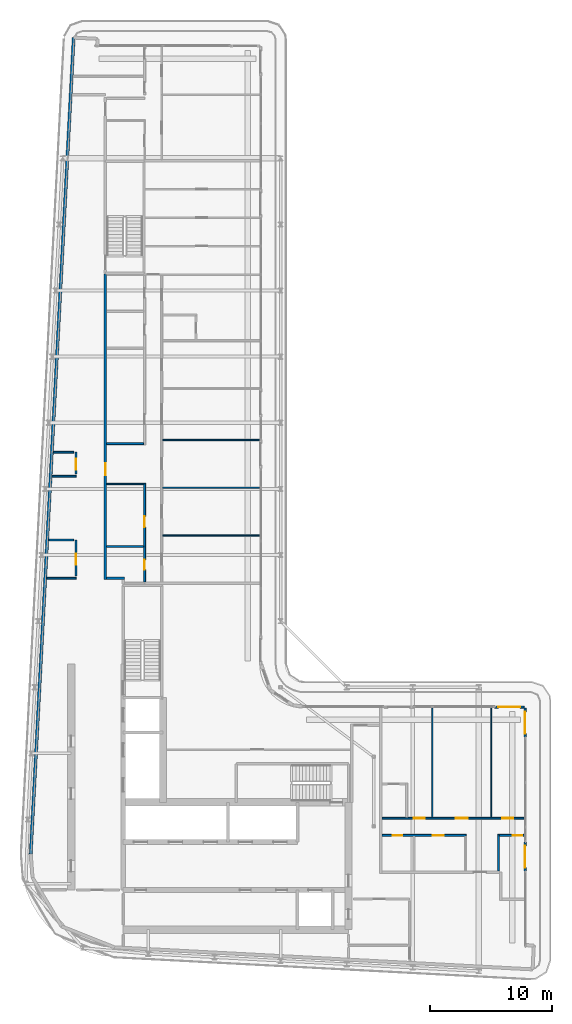
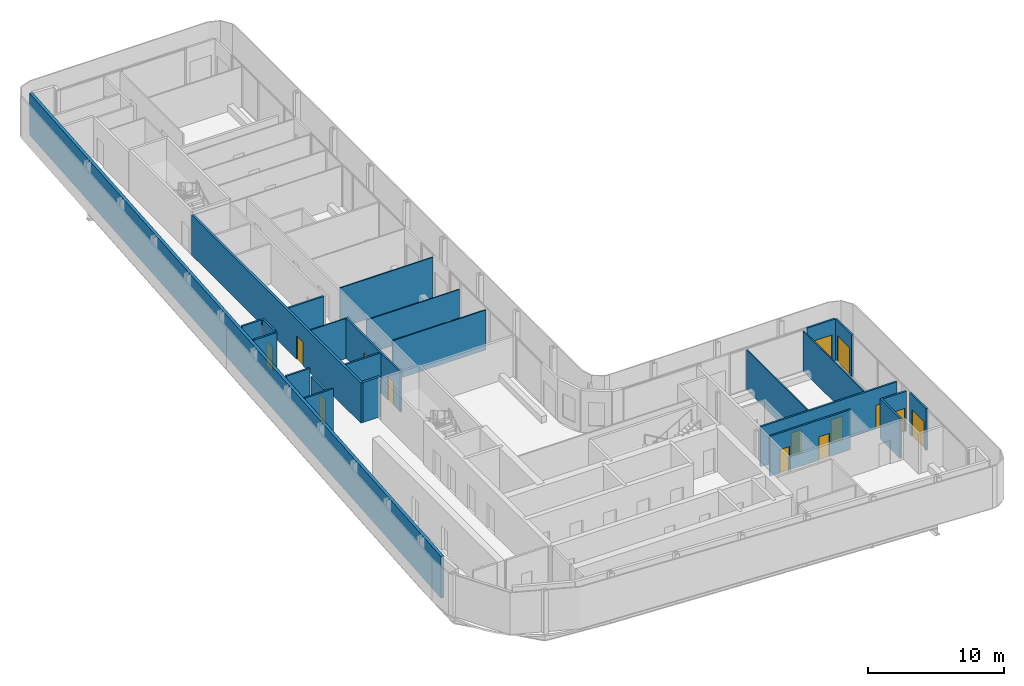
# One storey, part 13 of 21: 25 walls, 14 doors, 14 openings.
"""IFC4 building model written with IfcOpenShell, lengths in metres."""

from ifc_helpers import new_model, si_unit, direction, frame, frame_2d, origin, place, context, subcontext, project, spatial, rectangle, extrude, source, transform, mapped, material, layer, layer_set, type_object, element, fill, save


model = new_model("IFC4")

# Units and contexts
model_context = context("Model", 3, precision=1e-05, world=origin(), true_north=direction((0.0, 1.0)))
body_context = subcontext(model_context, "Body", "Model", "MODEL_VIEW")
ifc_project = project(units=[si_unit("LENGTHUNIT", "METRE"), si_unit("AREAUNIT", "SQUARE_METRE"), si_unit("VOLUMEUNIT", "CUBIC_METRE"), si_unit("PLANEANGLEUNIT", "RADIAN"), si_unit("MASSUNIT", "GRAM", prefix="KILO")], contexts=[model_context])

# Site, building, storey
site_placement = place(None, origin())
site = spatial("IfcSite", under=ifc_project, at=site_placement, CompositionType="ELEMENT")
building_placement = place(site_placement, origin())
building = spatial("IfcBuilding", under=site, at=building_placement, Name="Kheshtan School and Residences Tower", CompositionType="ELEMENT")
storey_placement = place(building_placement, frame((0.0, 0.0, 317.60009765625)))
storey = spatial("IfcBuildingStorey", under=building, at=storey_placement, Name="L75", CompositionType="ELEMENT", Elevation=317.60009765625)

# Wall, opening, door
ifc_material_1 = material(Name="Gypsum board on steel studs with fire boards", Category="steel")
ifc_layer_1 = layer(ifc_material_1, 0.199951171875)
ifc_layer_set_1 = layer_set([ifc_layer_1], Name="Corridor wall 200")
wall_type_1 = type_object("IfcWallType", Name="Corridor wall 200", PredefinedType="PARTITIONING", material=ifc_layer_set_1)
wall_1_placement = place(storey_placement, frame((33.300048828125, 54.39990234375, 0.0), z_axis=(0.0, 0.0, 1.0), x_axis=(0.0, 1.0, 0.0)))
wall_1 = element("IfcWall", 1, at=wall_1_placement, inside=storey, type_object=wall_type_1, Name="Partition L75-003", PredefinedType="PARTITIONING", context=body_context, shape_type="SweptSolid", body=[
    extrude(rectangle(XDim=24.9501953125, YDim=0.199951171875, at=frame_2d((12.47509765625, 0.0))), origin(), (0.0, 0.0, 1.0), 3.599853515625),
])
opening_1_placement = place(wall_1_placement, frame((8.5, 0.0, 0.0)))
opening_1 = element("IfcOpeningElement", 2, at=opening_1_placement, cuts=wall_1, Name="Opening D75-016", PredefinedType="OPENING", context=body_context, shape_type="SweptSolid", body=[
    extrude(rectangle(XDim=1.0, YDim=2.10009765625, at=frame_2d((0.5, 1.050048828125))), frame((0.0, 0.10986328125, 0.0), z_axis=(0.0, -1.0, 0.0), x_axis=(1.0, 0.0, 0.0)), (0.0, 0.0, 1.0), 0.219970703125),
])
ifc_material_2 = material(Name="Steel-framed fire-resisting door leaf", Category="steel")
door_type_1 = type_object("IfcDoorType", Name="Fire door FD30S 1000 x 2100", OperationType="SINGLE_SWING_LEFT", PredefinedType="DOOR", material=ifc_material_2)
shared_shape_1 = source(origin(), body_context, "Body", "SweptSolid", [
    extrude(rectangle(XDim=1.0, YDim=2.10009765625, at=frame_2d((0.5, 1.050048828125))), frame((0.0, 0.02490234375, 0.0), z_axis=(0.0, -1.0, 0.0), x_axis=(1.0, 0.0, 0.0)), (0.0, 0.0, 1.0), 0.050048828125),
])
door_1_placement = place(opening_1_placement, origin())
door_1 = element("IfcDoor", 3, at=door_1_placement, inside=storey, type_object=door_type_1, Name="Door D75-016", OperationType="SINGLE_SWING_RIGHT", OverallHeight=2.10009765625, OverallWidth=1.0, PredefinedType="DOOR", context=body_context, shape_type="MappedRepresentation", body=[
    mapped(shared_shape_1, transform((0.0, 0.0, 0.0), x_axis=(1.0, 0.0, 0.0), y_axis=(0.0, 1.0, 0.0), z_axis=(0.0, 0.0, 1.0), scale=1.0)),
])
fill(opening_1, door_1)

# Walls
wall_2_placement = place(storey_placement, frame((33.39990234375, 54.5, 0.0), z_axis=(0.0, 0.0, 1.0), x_axis=(1.0, 0.0, 0.0)))
element("IfcWall", 4, at=wall_2_placement, inside=storey, type_object=wall_type_1, Name="Partition L75-005", PredefinedType="PARTITIONING", context=body_context, shape_type="SweptSolid", body=[
    extrude(rectangle(XDim=1.4501953125, YDim=0.199951171875, at=frame_2d((0.72509765625, 0.0))), origin(), (0.0, 0.0, 1.0), 3.599853515625),
])
ifc_material_3 = material(Name="Concrete C40/50 with ceramic cladding and mineral wool insulation", Category="concrete")
ifc_layer_2 = layer(ifc_material_3, 0.25)
ifc_layer_set_2 = layer_set([ifc_layer_2], Name="External wall 250 ceramic clad")
wall_type_2 = type_object("IfcWallType", Name="External wall 250 ceramic clad", PredefinedType="SOLIDWALL", material=ifc_layer_set_2)
wall_3_placement = place(storey_placement, frame((27.195068359375, 31.968994140625, 0.0), z_axis=(0.0, 0.0, 1.0), x_axis=(0.052554995867, 0.998618031286, 0.0)))
element("IfcWall", 5, at=wall_3_placement, inside=storey, type_object=wall_type_2, Name="External wall L75 4", PredefinedType="SOLIDWALL", context=body_context, shape_type="SweptSolid", body=[
    extrude(rectangle(XDim=66.787353515625, YDim=0.25, at=frame_2d((33.3935546875, 0.0))), origin(), (0.0, 0.0, 1.0), 3.75),
])

# Wall, opening, door
ifc_material_4 = material(Name="Aluminium frame wall with insulated infill", Category="aluminium")
ifc_layer_3 = layer(ifc_material_4, 0.14990234375)
ifc_layer_set_3 = layer_set([ifc_layer_3], Name="Glazing frame wall 150")
wall_type_3 = type_object("IfcWallType", Name="Glazing frame wall 150", PredefinedType="SOLIDWALL", material=ifc_layer_set_3)
wall_4_placement = place(storey_placement, frame((65.10009765625, 43.97509765625, 0.0), z_axis=(0.0, 0.0, 1.0), x_axis=(1.0, 0.0, 0.0)))
wall_4 = element("IfcWall", 6, at=wall_4_placement, inside=storey, type_object=wall_type_3, Name="Balcony door wall L75 12.2", PredefinedType="SOLIDWALL", context=body_context, shape_type="SweptSolid", body=[
    extrude(rectangle(XDim=2.39990234375, YDim=0.14990234375, at=frame_2d((1.199951171875, 0.0))), origin(), (0.0, 0.0, 1.0), 3.75),
])
opening_2_placement = place(wall_4_placement, frame((0.300048828125, 0.0, 0.0)))
opening_2 = element("IfcOpeningElement", 7, at=opening_2_placement, cuts=wall_4, Name="Opening BD", PredefinedType="OPENING", context=body_context, shape_type="SweptSolid", body=[
    extrude(rectangle(XDim=1.800048828125, YDim=2.39990234375, at=frame_2d((0.89990234375, 1.199951171875))), frame((0.0, 0.0849609375, 0.0), z_axis=(0.0, -1.0, 0.0), x_axis=(1.0, 0.0, 0.0)), (0.0, 0.0, 1.0), 0.169921875),
])
ifc_material_5 = material(Name="Clear low-e glass in thermally broken aluminium frame", Category="aluminium")
door_type_2 = type_object("IfcDoorType", Name="Balcony sliding door", OperationType="SLIDING_TO_LEFT", PredefinedType="DOOR", material=ifc_material_5)
shared_shape_2 = source(origin(), body_context, "Body", "SweptSolid", [
    extrude(rectangle(XDim=1.800048828125, YDim=2.39990234375, at=frame_2d((0.89990234375, 1.199951171875))), frame((0.0, 0.02490234375, 0.0), z_axis=(0.0, -1.0, 0.0), x_axis=(1.0, 0.0, 0.0)), (0.0, 0.0, 1.0), 0.050048828125),
])
door_2_placement = place(opening_2_placement, origin())
door_2 = element("IfcDoor", 8, at=door_2_placement, inside=storey, type_object=door_type_2, Name="Balcony door L75 12.2", OperationType="SLIDING_TO_LEFT", OverallHeight=2.39990234375, OverallWidth=1.800048828125, PredefinedType="DOOR", context=body_context, shape_type="MappedRepresentation", body=[
    mapped(shared_shape_2, transform((0.0, 0.0, 0.0), x_axis=(1.0, 0.0, 0.0), y_axis=(0.0, 1.0, 0.0), z_axis=(0.0, 0.0, 1.0), scale=1.0)),
])
fill(opening_2, door_2)

wall_5_placement = place(storey_placement, frame((67.574951171875, 43.89990234375, 0.0), z_axis=(0.0, 0.0, 1.0), x_axis=(0.0, -1.0, 0.0)))
wall_5 = element("IfcWall", 9, at=wall_5_placement, inside=storey, type_object=wall_type_3, Name="Balcony door wall L75 13.1", PredefinedType="SOLIDWALL", context=body_context, shape_type="SweptSolid", body=[
    extrude(rectangle(XDim=2.39990234375, YDim=0.14990234375, at=frame_2d((1.199951171875, 0.0))), origin(), (0.0, 0.0, 1.0), 3.75),
])
opening_3_placement = place(wall_5_placement, frame((0.300048828125, 0.0, 0.0)))
opening_3 = element("IfcOpeningElement", 10, at=opening_3_placement, cuts=wall_5, Name="Opening BD", PredefinedType="OPENING", context=body_context, shape_type="SweptSolid", body=[
    extrude(rectangle(XDim=1.800048828125, YDim=2.39990234375, at=frame_2d((0.89990234375, 1.199951171875))), frame((0.0, 0.0849609375, 0.0), z_axis=(0.0, -1.0, 0.0), x_axis=(1.0, 0.0, 0.0)), (0.0, 0.0, 1.0), 0.169921875),
])
door_3_placement = place(opening_3_placement, origin())
door_3 = element("IfcDoor", 11, at=door_3_placement, inside=storey, type_object=door_type_2, Name="Balcony door L75 13.1", OperationType="SLIDING_TO_LEFT", OverallHeight=2.39990234375, OverallWidth=1.800048828125, PredefinedType="DOOR", context=body_context, shape_type="MappedRepresentation", body=[
    mapped(shared_shape_2, transform((0.0, 0.0, 0.0), x_axis=(1.0, 0.0, 0.0), y_axis=(0.0, 1.0, 0.0), z_axis=(0.0, 0.0, 1.0), scale=1.0)),
])
fill(opening_3, door_3)

wall_6_placement = place(storey_placement, frame((67.574951171875, 32.958984375, 0.0), z_axis=(0.0, 0.0, 1.0), x_axis=(0.0, -1.0, 0.0)))
wall_6 = element("IfcWall", 12, at=wall_6_placement, inside=storey, type_object=wall_type_3, Name="Balcony door wall L75 13.2", PredefinedType="SOLIDWALL", context=body_context, shape_type="SweptSolid", body=[
    extrude(rectangle(XDim=2.39990234375, YDim=0.14990234375, at=frame_2d((1.199951171875, 0.0))), origin(), (0.0, 0.0, 1.0), 3.75),
])
opening_4_placement = place(wall_6_placement, frame((0.300048828125, 0.0, 0.0)))
opening_4 = element("IfcOpeningElement", 13, at=opening_4_placement, cuts=wall_6, Name="Opening BD", PredefinedType="OPENING", context=body_context, shape_type="SweptSolid", body=[
    extrude(rectangle(XDim=1.800048828125, YDim=2.39990234375, at=frame_2d((0.89990234375, 1.199951171875))), frame((0.0, 0.0849609375, 0.0), z_axis=(0.0, -1.0, 0.0), x_axis=(1.0, 0.0, 0.0)), (0.0, 0.0, 1.0), 0.169921875),
])
door_4_placement = place(opening_4_placement, origin())
door_4 = element("IfcDoor", 14, at=door_4_placement, inside=storey, type_object=door_type_2, Name="Balcony door L75 13.2", OperationType="SLIDING_TO_LEFT", OverallHeight=2.39990234375, OverallWidth=1.800048828125, PredefinedType="DOOR", context=body_context, shape_type="MappedRepresentation", body=[
    mapped(shared_shape_2, transform((0.0, 0.0, 0.0), x_axis=(1.0, 0.0, 0.0), y_axis=(0.0, 1.0, 0.0), z_axis=(0.0, 0.0, 1.0), scale=1.0)),
])
fill(opening_4, door_4)

# Walls
ifc_material_6 = material(Name="Gypsum board on steel studs", Category="steel")
ifc_layer_4 = layer(ifc_material_6, 0.10009765625)
ifc_layer_set_4 = layer_set([ifc_layer_4], Name="Gypsum partition 100")
wall_type_4 = type_object("IfcWallType", Name="Gypsum partition 100", PredefinedType="PARTITIONING", material=ifc_layer_set_4)
wall_7_placement = place(storey_placement, frame((33.39990234375, 62.199951171875, 0.0), z_axis=(0.0, 0.0, 1.0), x_axis=(1.0, 0.0, 0.0)))
element("IfcWall", 15, at=wall_7_placement, inside=storey, type_object=wall_type_4, Name="Partition L75-007", PredefinedType="PARTITIONING", context=body_context, shape_type="SweptSolid", body=[
    extrude(rectangle(XDim=3.025146484375, YDim=0.10009765625, at=frame_2d((1.5126953125, 0.0))), origin(), (0.0, 0.0, 1.0), 3.599853515625),
])
wall_8_placement = place(storey_placement, frame((37.97509765625, 58.0, 0.0), z_axis=(0.0, 0.0, 1.0), x_axis=(1.0, 0.0, 0.0)))
element("IfcWall", 16, at=wall_8_placement, inside=storey, type_object=wall_type_4, Name="Partition L75-028", PredefinedType="PARTITIONING", context=body_context, shape_type="SweptSolid", body=[
    extrude(rectangle(XDim=7.9248046875, YDim=0.10009765625, at=frame_2d((3.96240234375, 0.0))), origin(), (0.0, 0.0, 1.0), 3.599853515625),
])
wall_9_placement = place(storey_placement, frame((37.97509765625, 61.89990234375, 0.0), z_axis=(0.0, 0.0, 1.0), x_axis=(1.0, 0.0, 0.0)))
element("IfcWall", 17, at=wall_9_placement, inside=storey, type_object=wall_type_4, Name="Partition L75-029", PredefinedType="PARTITIONING", context=body_context, shape_type="SweptSolid", body=[
    extrude(rectangle(XDim=7.9248046875, YDim=0.10009765625, at=frame_2d((3.96240234375, 0.0))), origin(), (0.0, 0.0, 1.0), 3.072021484375),
])
wall_10_placement = place(storey_placement, frame((37.97509765625, 65.800048828125, 0.0), z_axis=(0.0, 0.0, 1.0), x_axis=(1.0, 0.0, 0.0)))
element("IfcWall", 18, at=wall_10_placement, inside=storey, type_object=wall_type_4, Name="Partition L75-030", PredefinedType="PARTITIONING", context=body_context, shape_type="SweptSolid", body=[
    extrude(rectangle(XDim=7.9248046875, YDim=0.10009765625, at=frame_2d((3.96240234375, 0.0))), origin(), (0.0, 0.0, 1.0), 3.599853515625),
])
for number, where, z_axis, x_axis, name in (
    (19, (60.0, 34.97509765625, 0.0), (0.0, 0.0, 1.0), (0.0, 1.0, 0.0), "Partition L75-045"),
    (20, (64.800048828125, 34.97509765625, 0.0), (0.0, 0.0, 1.0), (0.0, 1.0, 0.0), "Partition L75-047"),
):
    element("IfcWall", number, at=place(storey_placement, frame(where, z_axis=z_axis, x_axis=x_axis)), inside=storey, type_object=wall_type_4, Name=name, PredefinedType="PARTITIONING", context=body_context, shape_type="SweptSolid", body=[
        extrude(rectangle(XDim=8.9248046875, YDim=0.10009765625, at=frame_2d((4.46240234375, 0.0))), origin(), (0.0, 0.0, 1.0), 3.599853515625),
    ])
ifc_material_7 = material(Name="Fire-board shaft wall system")
ifc_layer_5 = layer(ifc_material_7, 0.14990234375)
ifc_layer_set_5 = layer_set([ifc_layer_5], Name="Service room wall 150")
wall_type_5 = type_object("IfcWallType", Name="Service room wall 150", PredefinedType="PARTITIONING", material=ifc_layer_set_5)
wall_11_placement = place(storey_placement, frame((28.508056640625, 54.5, 0.0), z_axis=(0.0, 0.0, 1.0), x_axis=(1.0, 0.0, 0.0)))
element("IfcWall", 21, at=wall_11_placement, inside=storey, type_object=wall_type_5, Name="Service room wall", PredefinedType="PARTITIONING", context=body_context, shape_type="SweptSolid", body=[
    extrude(rectangle(XDim=2.391845703125, YDim=0.14990234375, at=frame_2d((1.19580078125, 0.0))), origin(), (0.0, 0.0, 1.0), 3.89990234375),
])

# Wall, opening, door
wall_12_placement = place(storey_placement, frame((30.89990234375, 54.695068359375, 0.0), z_axis=(0.0, 0.0, 1.0), x_axis=(0.0, 1.0, 0.0)))
wall_12 = element("IfcWall", 22, at=wall_12_placement, inside=storey, type_object=wall_type_5, Name="Service room wall", PredefinedType="PARTITIONING", context=body_context, shape_type="SweptSolid", body=[
    extrude(rectangle(XDim=2.930908203125, YDim=0.14990234375, at=frame_2d((1.46533203125, 0.0))), origin(), (0.0, 0.0, 1.0), 3.072021484375),
])
opening_5_placement = place(wall_12_placement, frame((0.91796875, 0.0, 0.0)))
opening_5 = element("IfcOpeningElement", 23, at=opening_5_placement, cuts=wall_12, Name="Opening SR90", PredefinedType="OPENING", context=body_context, shape_type="SweptSolid", body=[
    extrude(rectangle(XDim=0.89990234375, YDim=2.199951171875, at=frame_2d((0.449951171875, 1.10009765625))), frame((0.0, 0.0849609375, 0.0), z_axis=(0.0, -1.0, 0.0), x_axis=(1.0, 0.0, 0.0)), (0.0, 0.0, 1.0), 0.169921875),
])
ifc_material_8 = material(Name="Steel door leaf, galvanised", Category="steel")
door_type_3 = type_object("IfcDoorType", Name="Service room door 900 steel 90 min", OperationType="SINGLE_SWING_LEFT", PredefinedType="DOOR", material=ifc_material_8)
shared_shape_3 = source(origin(), body_context, "Body", "SweptSolid", [
    extrude(rectangle(XDim=0.89990234375, YDim=2.199951171875, at=frame_2d((0.449951171875, 1.10009765625))), frame((0.0, 0.02490234375, 0.0), z_axis=(0.0, -1.0, 0.0), x_axis=(1.0, 0.0, 0.0)), (0.0, 0.0, 1.0), 0.050048828125),
])
door_5_placement = place(opening_5_placement, origin())
door_5 = element("IfcDoor", 24, at=door_5_placement, inside=storey, type_object=door_type_3, Name="Service room door", OperationType="SINGLE_SWING_LEFT", OverallHeight=2.199951171875, OverallWidth=0.89990234375, PredefinedType="DOOR", context=body_context, shape_type="MappedRepresentation", body=[
    mapped(shared_shape_3, transform((0.0, 0.0, 0.0), x_axis=(1.0, 0.0, 0.0), y_axis=(0.0, 1.0, 0.0), z_axis=(0.0, 0.0, 1.0), scale=1.0)),
])
fill(opening_5, door_5)

# Walls
wall_13_placement = place(storey_placement, frame((28.673095703125, 57.6259765625, 0.0), z_axis=(0.0, 0.0, 1.0), x_axis=(1.0, 0.0, 0.0)))
element("IfcWall", 25, at=wall_13_placement, inside=storey, type_object=wall_type_5, Name="Service room wall", PredefinedType="PARTITIONING", context=body_context, shape_type="SweptSolid", body=[
    extrude(rectangle(XDim=2.031982421875, YDim=0.14990234375, at=frame_2d((1.01611328125, 0.0))), origin(), (0.0, 0.0, 1.0), 3.89990234375),
])
wall_14_placement = place(storey_placement, frame((28.947021484375, 62.8330078125, 0.0), z_axis=(0.0, 0.0, 1.0), x_axis=(1.0, 0.0, 0.0)))
element("IfcWall", 26, at=wall_14_placement, inside=storey, type_object=wall_type_5, Name="Service room wall", PredefinedType="PARTITIONING", context=body_context, shape_type="SweptSolid", body=[
    extrude(rectangle(XDim=1.952880859375, YDim=0.14990234375, at=frame_2d((0.9765625, 0.0))), origin(), (0.0, 0.0, 1.0), 3.89990234375),
])

# Wall, opening, door
wall_15_placement = place(storey_placement, frame((30.89990234375, 63.028076171875, 0.0), z_axis=(0.0, 0.0, 1.0), x_axis=(0.0, 1.0, 0.0)))
wall_15 = element("IfcWall", 27, at=wall_15_placement, inside=storey, type_object=wall_type_5, Name="Service room wall", PredefinedType="PARTITIONING", context=body_context, shape_type="SweptSolid", body=[
    extrude(rectangle(XDim=1.77197265625, YDim=0.14990234375, at=frame_2d((0.885986328125, 0.0))), origin(), (0.0, 0.0, 1.0), 3.89990234375),
])
opening_6_placement = place(wall_15_placement, frame((0.337890625, 0.0, 0.0)))
opening_6 = element("IfcOpeningElement", 28, at=opening_6_placement, cuts=wall_15, Name="Opening SR90", PredefinedType="OPENING", context=body_context, shape_type="SweptSolid", body=[
    extrude(rectangle(XDim=0.89990234375, YDim=2.199951171875, at=frame_2d((0.449951171875, 1.10009765625))), frame((0.0, 0.0849609375, 0.0), z_axis=(0.0, -1.0, 0.0), x_axis=(1.0, 0.0, 0.0)), (0.0, 0.0, 1.0), 0.169921875),
])
door_6_placement = place(opening_6_placement, origin())
door_6 = element("IfcDoor", 29, at=door_6_placement, inside=storey, type_object=door_type_3, Name="Service room door", OperationType="SINGLE_SWING_LEFT", OverallHeight=2.199951171875, OverallWidth=0.89990234375, PredefinedType="DOOR", context=body_context, shape_type="MappedRepresentation", body=[
    mapped(shared_shape_3, transform((0.0, 0.0, 0.0), x_axis=(1.0, 0.0, 0.0), y_axis=(0.0, 1.0, 0.0), z_axis=(0.0, 0.0, 1.0), scale=1.0)),
])
fill(opening_6, door_6)

# Walls
wall_16_placement = place(storey_placement, frame((29.050048828125, 64.800048828125, 0.0), z_axis=(0.0, 0.0, 1.0), x_axis=(1.0, 0.0, 0.0)))
element("IfcWall", 30, at=wall_16_placement, inside=storey, type_object=wall_type_5, Name="Service room wall", PredefinedType="PARTITIONING", context=body_context, shape_type="SweptSolid", body=[
    extrude(rectangle(XDim=1.655029296875, YDim=0.14990234375, at=frame_2d((0.82763671875, 0.0))), origin(), (0.0, 0.0, 1.0), 3.89990234375),
])
ifc_material_9 = material(Name="Moisture-resistant gypsum board on steel studs", Category="steel")
ifc_layer_6 = layer(ifc_material_9, 0.14990234375)
ifc_layer_set_6 = layer_set([ifc_layer_6], Name="Wet-room partition 150")
wall_type_6 = type_object("IfcWallType", Name="Wet-room partition 150", PredefinedType="PARTITIONING", material=ifc_layer_set_6)
for number, where, z_axis, x_axis, name in (
    (31, (33.39990234375, 57.10009765625, 0.0), (0.0, 0.0, 1.0), (1.0, 0.0, 0.0), "Partition L75-006"),
    (32, (33.39990234375, 65.5, 0.0), (0.0, 0.0, 1.0), (1.0, 0.0, 0.0), "Partition L75-008"),
):
    element("IfcWall", number, at=place(storey_placement, frame(where, z_axis=z_axis, x_axis=x_axis)), inside=storey, type_object=wall_type_6, Name=name, PredefinedType="PARTITIONING", context=body_context, shape_type="SweptSolid", body=[
        extrude(rectangle(XDim=3.025146484375, YDim=0.14990234375, at=frame_2d((1.5126953125, 0.0))), origin(), (0.0, 0.0, 1.0), 3.599853515625),
    ])

# Wall, openings, doors
wall_17_placement = place(storey_placement, frame((36.5, 54.199951171875, 0.0), z_axis=(0.0, 0.0, 1.0), x_axis=(0.0, 1.0, 0.0)))
wall_17 = element("IfcWall", 33, at=wall_17_placement, inside=storey, type_object=wall_type_6, Name="Partition L75-018", PredefinedType="PARTITIONING", context=body_context, shape_type="SweptSolid", body=[
    extrude(rectangle(XDim=8.050048828125, YDim=0.14990234375, at=frame_2d((4.02490234375, 0.0))), origin(), (0.0, 0.0, 1.0), 3.599853515625),
])
opening_7_placement = place(wall_17_placement, frame((1.0, 0.0, 0.0)))
opening_7 = element("IfcOpeningElement", 34, at=opening_7_placement, cuts=wall_17, Name="Opening D75-009", PredefinedType="OPENING", context=body_context, shape_type="SweptSolid", body=[
    extrude(rectangle(XDim=0.800048828125, YDim=2.10009765625, at=frame_2d((0.39990234375, 1.050048828125))), frame((0.0, 0.0849609375, 0.0), z_axis=(0.0, -1.0, 0.0), x_axis=(1.0, 0.0, 0.0)), (0.0, 0.0, 1.0), 0.169921875),
])
opening_8_placement = place(wall_17_placement, frame((4.449951171875, 0.0, 0.0)))
opening_8 = element("IfcOpeningElement", 35, at=opening_8_placement, cuts=wall_17, Name="Opening D75-017", PredefinedType="OPENING", context=body_context, shape_type="SweptSolid", body=[
    extrude(rectangle(XDim=0.89990234375, YDim=2.10009765625, at=frame_2d((0.449951171875, 1.050048828125))), frame((0.0, 0.0849609375, 0.0), z_axis=(0.0, -1.0, 0.0), x_axis=(1.0, 0.0, 0.0)), (0.0, 0.0, 1.0), 0.169921875),
])
ifc_material_10 = material(Name="Veneered timber door leaf", Category="wood")
door_type_4 = type_object("IfcDoorType", Name="Door 800 x 2100", OperationType="SINGLE_SWING_LEFT", PredefinedType="DOOR", material=ifc_material_10)
shared_shape_4 = source(origin(), body_context, "Body", "SweptSolid", [
    extrude(rectangle(XDim=0.800048828125, YDim=2.10009765625, at=frame_2d((0.39990234375, 1.050048828125))), frame((0.0, 0.02490234375, 0.0), z_axis=(0.0, -1.0, 0.0), x_axis=(1.0, 0.0, 0.0)), (0.0, 0.0, 1.0), 0.050048828125),
])
door_7_placement = place(opening_7_placement, origin())
door_7 = element("IfcDoor", 36, at=door_7_placement, inside=storey, type_object=door_type_4, Name="Door D75-009", OperationType="SINGLE_SWING_RIGHT", OverallHeight=2.10009765625, OverallWidth=0.800048828125, PredefinedType="DOOR", context=body_context, shape_type="MappedRepresentation", body=[
    mapped(shared_shape_4, transform((0.0, 0.0, 0.0), x_axis=(1.0, 0.0, 0.0), y_axis=(0.0, 1.0, 0.0), z_axis=(0.0, 0.0, 1.0), scale=1.0)),
])
fill(opening_7, door_7)
door_type_5 = type_object("IfcDoorType", Name="Door 900 x 2100", OperationType="SINGLE_SWING_LEFT", PredefinedType="DOOR", material=ifc_material_10)
shared_shape_5 = source(origin(), body_context, "Body", "SweptSolid", [
    extrude(rectangle(XDim=0.89990234375, YDim=2.10009765625, at=frame_2d((0.449951171875, 1.050048828125))), frame((0.0, 0.02490234375, 0.0), z_axis=(0.0, -1.0, 0.0), x_axis=(1.0, 0.0, 0.0)), (0.0, 0.0, 1.0), 0.050048828125),
])
door_8_placement = place(opening_8_placement, origin())
door_8 = element("IfcDoor", 37, at=door_8_placement, inside=storey, type_object=door_type_5, Name="Door D75-017", OperationType="SINGLE_SWING_RIGHT", OverallHeight=2.10009765625, OverallWidth=0.89990234375, PredefinedType="DOOR", context=body_context, shape_type="MappedRepresentation", body=[
    mapped(shared_shape_5, transform((0.0, 0.0, 0.0), x_axis=(1.0, 0.0, 0.0), y_axis=(0.0, 1.0, 0.0), z_axis=(0.0, 0.0, 1.0), scale=1.0)),
])
fill(opening_8, door_8)

wall_18_placement = place(storey_placement, frame((55.89990234375, 33.5, 0.0), z_axis=(0.0, 0.0, 1.0), x_axis=(1.0, 0.0, 0.0)))
wall_18 = element("IfcWall", 38, at=wall_18_placement, inside=storey, type_object=wall_type_6, Name="Partition L75-040", PredefinedType="PARTITIONING", context=body_context, shape_type="SweptSolid", body=[
    extrude(rectangle(XDim=6.85009765625, YDim=0.14990234375, at=frame_2d((3.425048828125, 0.0))), origin(), (0.0, 0.0, 1.0), 3.599853515625),
])
opening_9_placement = place(wall_18_placement, frame((0.85009765625, 0.0, 0.0)))
opening_9 = element("IfcOpeningElement", 39, at=opening_9_placement, cuts=wall_18, Name="Opening D75-001", PredefinedType="OPENING", context=body_context, shape_type="SweptSolid", body=[
    extrude(rectangle(XDim=0.800048828125, YDim=2.10009765625, at=frame_2d((0.39990234375, 1.050048828125))), frame((0.0, 0.0849609375, 0.0), z_axis=(0.0, -1.0, 0.0), x_axis=(1.0, 0.0, 0.0)), (0.0, 0.0, 1.0), 0.169921875),
])
opening_10_placement = place(wall_18_placement, frame((4.14990234375, 0.0, 0.0)))
opening_10 = element("IfcOpeningElement", 40, at=opening_10_placement, cuts=wall_18, Name="Opening D75-005", PredefinedType="OPENING", context=body_context, shape_type="SweptSolid", body=[
    extrude(rectangle(XDim=0.89990234375, YDim=2.10009765625, at=frame_2d((0.449951171875, 1.050048828125))), frame((0.0, 0.0849609375, 0.0), z_axis=(0.0, -1.0, 0.0), x_axis=(1.0, 0.0, 0.0)), (0.0, 0.0, 1.0), 0.169921875),
])
door_9_placement = place(opening_9_placement, origin())
door_9 = element("IfcDoor", 41, at=door_9_placement, inside=storey, type_object=door_type_4, Name="Door D75-001", OperationType="SINGLE_SWING_LEFT", OverallHeight=2.10009765625, OverallWidth=0.800048828125, PredefinedType="DOOR", context=body_context, shape_type="MappedRepresentation", body=[
    mapped(shared_shape_4, transform((0.0, 0.0, 0.0), x_axis=(1.0, 0.0, 0.0), y_axis=(0.0, 1.0, 0.0), z_axis=(0.0, 0.0, 1.0), scale=1.0)),
])
fill(opening_9, door_9)
door_10_placement = place(opening_10_placement, origin())
door_10 = element("IfcDoor", 42, at=door_10_placement, inside=storey, type_object=door_type_5, Name="Door D75-005", OperationType="SINGLE_SWING_LEFT", OverallHeight=2.10009765625, OverallWidth=0.89990234375, PredefinedType="DOOR", context=body_context, shape_type="MappedRepresentation", body=[
    mapped(shared_shape_5, transform((0.0, 0.0, 0.0), x_axis=(1.0, 0.0, 0.0), y_axis=(0.0, 1.0, 0.0), z_axis=(0.0, 0.0, 1.0), scale=1.0)),
])
fill(opening_10, door_10)

wall_19_placement = place(storey_placement, frame((55.89990234375, 34.89990234375, 0.0), z_axis=(0.0, 0.0, 1.0), x_axis=(1.0, 0.0, 0.0)))
wall_19 = element("IfcWall", 43, at=wall_19_placement, inside=storey, type_object=wall_type_6, Name="Partition L75-041", PredefinedType="PARTITIONING", context=body_context, shape_type="SweptSolid", body=[
    extrude(rectangle(XDim=11.60009765625, YDim=0.14990234375, at=frame_2d((5.800048828125, 0.0))), origin(), (0.0, 0.0, 1.0), 3.599853515625),
])
opening_11_placement = place(wall_19_placement, frame((9.800048828125, 0.0, 0.0)))
opening_11 = element("IfcOpeningElement", 44, at=opening_11_placement, cuts=wall_19, Name="Opening D75-002", PredefinedType="OPENING", context=body_context, shape_type="SweptSolid", body=[
    extrude(rectangle(XDim=0.89990234375, YDim=2.10009765625, at=frame_2d((0.449951171875, 1.050048828125))), frame((0.0, 0.0849609375, 0.0), z_axis=(0.0, -1.0, 0.0), x_axis=(1.0, 0.0, 0.0)), (0.0, 0.0, 1.0), 0.169921875),
])
opening_12_placement = place(wall_19_placement, frame((6.0, 0.0, 0.0)))
opening_12 = element("IfcOpeningElement", 45, at=opening_12_placement, cuts=wall_19, Name="Opening D75-006", PredefinedType="OPENING", context=body_context, shape_type="SweptSolid", body=[
    extrude(rectangle(XDim=1.0, YDim=2.10009765625, at=frame_2d((0.5, 1.050048828125))), frame((0.0, 0.0849609375, 0.0), z_axis=(0.0, -1.0, 0.0), x_axis=(1.0, 0.0, 0.0)), (0.0, 0.0, 1.0), 0.169921875),
])
opening_13_placement = place(wall_19_placement, frame((2.60009765625, 0.0, 0.0)))
opening_13 = element("IfcOpeningElement", 46, at=opening_13_placement, cuts=wall_19, Name="Opening D75-007", PredefinedType="OPENING", context=body_context, shape_type="SweptSolid", body=[
    extrude(rectangle(XDim=0.89990234375, YDim=2.10009765625, at=frame_2d((0.449951171875, 1.050048828125))), frame((0.0, 0.0849609375, 0.0), z_axis=(0.0, -1.0, 0.0), x_axis=(1.0, 0.0, 0.0)), (0.0, 0.0, 1.0), 0.169921875),
])
door_type_6 = type_object("IfcDoorType", Name="Door 1000 x 2100", OperationType="SINGLE_SWING_LEFT", PredefinedType="DOOR", material=ifc_material_10)
shared_shape_6 = source(origin(), body_context, "Body", "SweptSolid", [
    extrude(rectangle(XDim=1.0, YDim=2.10009765625, at=frame_2d((0.5, 1.050048828125))), frame((0.0, 0.02490234375, 0.0), z_axis=(0.0, -1.0, 0.0), x_axis=(1.0, 0.0, 0.0)), (0.0, 0.0, 1.0), 0.050048828125),
])
door_11_placement = place(opening_12_placement, origin())
door_11 = element("IfcDoor", 47, at=door_11_placement, inside=storey, type_object=door_type_6, Name="Door D75-006", OperationType="SINGLE_SWING_LEFT", OverallHeight=2.10009765625, OverallWidth=1.0, PredefinedType="DOOR", context=body_context, shape_type="MappedRepresentation", body=[
    mapped(shared_shape_6, transform((0.0, 0.0, 0.0), x_axis=(1.0, 0.0, 0.0), y_axis=(0.0, 1.0, 0.0), z_axis=(0.0, 0.0, 1.0), scale=1.0)),
])
fill(opening_12, door_11)
door_12_placement = place(opening_11_placement, origin())
door_12 = element("IfcDoor", 48, at=door_12_placement, inside=storey, type_object=door_type_5, Name="Door D75-002", OperationType="SINGLE_SWING_LEFT", OverallHeight=2.10009765625, OverallWidth=0.89990234375, PredefinedType="DOOR", context=body_context, shape_type="MappedRepresentation", body=[
    mapped(shared_shape_5, transform((0.0, 0.0, 0.0), x_axis=(1.0, 0.0, 0.0), y_axis=(0.0, 1.0, 0.0), z_axis=(0.0, 0.0, 1.0), scale=1.0)),
])
fill(opening_11, door_12)
door_13_placement = place(opening_13_placement, origin())
door_13 = element("IfcDoor", 49, at=door_13_placement, inside=storey, type_object=door_type_5, Name="Door D75-007", OperationType="SINGLE_SWING_LEFT", OverallHeight=2.10009765625, OverallWidth=0.89990234375, PredefinedType="DOOR", context=body_context, shape_type="MappedRepresentation", body=[
    mapped(shared_shape_5, transform((0.0, 0.0, 0.0), x_axis=(1.0, 0.0, 0.0), y_axis=(0.0, 1.0, 0.0), z_axis=(0.0, 0.0, 1.0), scale=1.0)),
])
fill(opening_13, door_13)

# Wall
wall_20_placement = place(storey_placement, frame((65.39990234375, 30.60009765625, 0.0), z_axis=(0.0, 0.0, 1.0), x_axis=(0.0, 1.0, 0.0)))
element("IfcWall", 50, at=wall_20_placement, inside=storey, type_object=wall_type_6, Name="Partition L75-048", PredefinedType="PARTITIONING", context=body_context, shape_type="SweptSolid", body=[
    extrude(rectangle(XDim=2.974853515625, YDim=0.14990234375, at=frame_2d((1.4873046875, 0.0))), origin(), (0.0, 0.0, 1.0), 3.599853515625),
])

# Wall, opening, door
wall_21_placement = place(storey_placement, frame((65.47509765625, 33.5, 0.0), z_axis=(0.0, 0.0, 1.0), x_axis=(1.0, 0.0, 0.0)))
wall_21 = element("IfcWall", 51, at=wall_21_placement, inside=storey, type_object=wall_type_6, Name="Partition L75-049", PredefinedType="PARTITIONING", context=body_context, shape_type="SweptSolid", body=[
    extrude(rectangle(XDim=2.02490234375, YDim=0.14990234375, at=frame_2d((1.012451171875, 0.0))), origin(), (0.0, 0.0, 1.0), 3.599853515625),
])
opening_14_placement = place(wall_21_placement, frame((1.074951171875, 0.0, 0.0)))
opening_14 = element("IfcOpeningElement", 52, at=opening_14_placement, cuts=wall_21, Name="Opening D75-008", PredefinedType="OPENING", context=body_context, shape_type="SweptSolid", body=[
    extrude(rectangle(XDim=0.800048828125, YDim=2.10009765625, at=frame_2d((0.39990234375, 1.050048828125))), frame((0.0, 0.0849609375, 0.0), z_axis=(0.0, -1.0, 0.0), x_axis=(1.0, 0.0, 0.0)), (0.0, 0.0, 1.0), 0.169921875),
])
door_14_placement = place(opening_14_placement, origin())
door_14 = element("IfcDoor", 53, at=door_14_placement, inside=storey, type_object=door_type_4, Name="Door D75-008", OperationType="SINGLE_SWING_RIGHT", OverallHeight=2.10009765625, OverallWidth=0.800048828125, PredefinedType="DOOR", context=body_context, shape_type="MappedRepresentation", body=[
    mapped(shared_shape_4, transform((0.0, 0.0, 0.0), x_axis=(1.0, 0.0, 0.0), y_axis=(0.0, 1.0, 0.0), z_axis=(0.0, 0.0, 1.0), scale=1.0)),
])
fill(opening_14, door_14)

save(model, "model.ifc")
